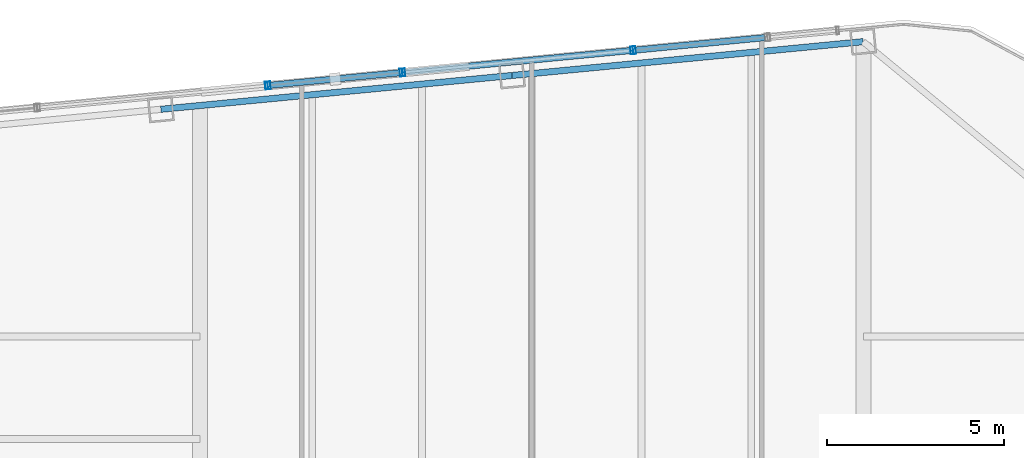
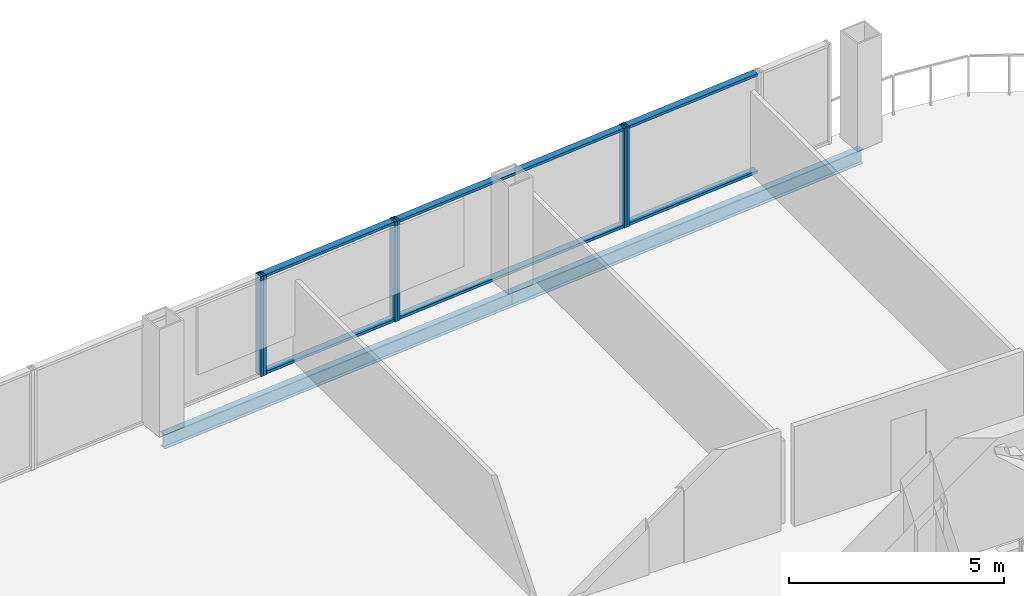
# One storey, part 14 of 22: 12 members, 2 beams, 4 elements without a shape of their own.
"""IFC4 building model written with IfcOpenShell, lengths in metres."""

import ifcopenshell
import ifcopenshell.guid

model = None  # the IFC model being written
_history = None  # IfcOwnerHistory: only IFC2X3 demands one
_inside = {}  # id of a spatial element -> (the spatial element, [elements in it])
_under = {}  # id of a project, library or spatial element -> (it, [spatial elements below it])
_declared = {}  # id of a project -> (the project, [libraries it declares])
_typed = {}  # id of a type object -> (the type object, [elements of that type])
_made_of = {}  # id of a material, layer set ... -> (it, [elements and type objects made of it])


def new_model(schema):
    """Start an empty IFC model of exactly this schema.

    Asked for "IFC4X3", IfcOpenShell would pick the latest addendum, in which some entities
    have other attributes; the version numbers below select the first issue.
    IFC2X3 requires an IfcOwnerHistory on every rooted entity: one is made here for all.
    """
    global model, _history
    if schema == "IFC4X3":
        model = ifcopenshell.file(schema_version=(4, 3, 0, 0))
    else:
        model = ifcopenshell.file(schema=schema)
    _inside.clear()
    _under.clear()
    _declared.clear()
    _typed.clear()
    _made_of.clear()
    _history = None
    if model.schema == "IFC2X3":
        org = make("IfcOrganization", Name="unknown")
        user = make(
            "IfcPersonAndOrganization",
            ThePerson=make("IfcPerson", FamilyName="unknown"),
            TheOrganization=org,
        )
        app = make(
            "IfcApplication",
            ApplicationDeveloper=org,
            Version="unknown",
            ApplicationFullName="unknown",
            ApplicationIdentifier="unknown",
        )
        _history = make(
            "IfcOwnerHistory",
            OwningUser=user,
            OwningApplication=app,
            ChangeAction="ADDED",
            CreationDate=0,
        )
    return model


def make(cls, **values):
    """One entity of the class cls with the attributes given. An attribute that is None is left unset."""
    return model.create_entity(
        cls, **{name: value for name, value in values.items() if value is not None}
    )


def rooted(cls, **values):
    """An entity with a GlobalId (a new one), such as an element, a storey or a relation."""
    return make(cls, GlobalId=ifcopenshell.guid.new(), OwnerHistory=_history, **values)


def si_unit(unit_type, name, prefix=None):
    """IfcSIUnit, for example si_unit("LENGTHUNIT", "METRE", prefix="MILLI")."""
    return make("IfcSIUnit", UnitType=unit_type, Prefix=prefix, Name=name)


def assignment(units):
    """IfcUnitAssignment: the units of a project."""
    return None if units is None else make("IfcUnitAssignment", Units=units)


def point(xyz):
    """IfcCartesianPoint."""
    return None if xyz is None else make("IfcCartesianPoint", Coordinates=xyz)


def direction(xyz):
    """IfcDirection."""
    return None if xyz is None else make("IfcDirection", DirectionRatios=xyz)


def frame(location, z_axis=None, x_axis=None):
    """IfcAxis2Placement3D, a coordinate frame: its origin and axes. An axis left out is left unset."""
    return make(
        "IfcAxis2Placement3D",
        Location=point(location),
        Axis=direction(z_axis),
        RefDirection=direction(x_axis),
    )


def frame_2d(location, x_axis=None):
    """IfcAxis2Placement2D, a coordinate frame in the plane: its origin and x axis."""
    return make(
        "IfcAxis2Placement2D", Location=point(location), RefDirection=direction(x_axis)
    )


def origin():
    """The frame at (0, 0, 0) with its axes left unset."""
    return frame((0.0, 0.0, 0.0))


def origin_2d():
    """The frame at (0, 0) in the plane with its x axis left unset."""
    return frame_2d((0.0, 0.0))


def place(relative_to, where):
    """IfcLocalPlacement: puts the frame where relative to a parent placement (None: the world)."""
    return make(
        "IfcLocalPlacement", PlacementRelTo=relative_to, RelativePlacement=where
    )


def context(
    kind, dimensions, precision=None, world=None, true_north=None, identifier=None
):
    """IfcGeometricRepresentationContext, for example the 3D "Model" context."""
    return make(
        "IfcGeometricRepresentationContext",
        ContextIdentifier=identifier,
        ContextType=kind,
        CoordinateSpaceDimension=dimensions,
        Precision=precision,
        WorldCoordinateSystem=world,
        TrueNorth=true_north,
    )


def subcontext(parent, identifier, kind, view, scale=None):
    """IfcGeometricRepresentationSubContext, for example "Body" below "Model"."""
    return make(
        "IfcGeometricRepresentationSubContext",
        ContextIdentifier=identifier,
        ContextType=kind,
        ParentContext=parent,
        TargetScale=scale,
        TargetView=view,
    )


def project(units=None, contexts=None):
    """IfcProject with its units and contexts."""
    return rooted(
        "IfcProject",
        Name="project",
        RepresentationContexts=contexts,
        UnitsInContext=assignment(units),
    )


def spatial(cls, under=None, at=None, **own):
    """A site, building, storey or space (cls), placed at a placement, below another one or the project."""
    s = rooted(cls, ObjectPlacement=at, **own)
    if under is not None:
        _under.setdefault(under.id(), (under, []))[1].append(s)
    return s


def profile(cls, at=None, kind="AREA", **sizes):
    """A parametric profile (cls). Its sizes go by their IFC names, for example OverallWidth=200.0."""
    return make(cls, ProfileType=kind, Position=at, **sizes)


def hollow_rectangle(**sizes):
    """IfcRectangleHollowProfileDef."""
    return profile("IfcRectangleHollowProfileDef", **sizes)


def i_section(**sizes):
    """IfcIShapeProfileDef."""
    return profile("IfcIShapeProfileDef", **sizes)


def extrude(swept, where, along, depth):
    """IfcExtrudedAreaSolid: the profile swept, set in the frame where, extruded along a direction by depth."""
    return make(
        "IfcExtrudedAreaSolid",
        SweptArea=swept,
        Position=where,
        ExtrudedDirection=direction(along),
        Depth=depth,
    )


def shape(context_of_items, identifier, shape_type, items):
    """IfcShapeRepresentation: the items that make up one representation, for example the "Body"."""
    return make(
        "IfcShapeRepresentation",
        ContextOfItems=context_of_items,
        RepresentationIdentifier=identifier,
        RepresentationType=shape_type,
        Items=items,
    )


def material(Name=None, Category=None):
    """IfcMaterial."""
    return make("IfcMaterial", Name=Name, Category=Category)


def layer(
    of_material, thickness, ventilated=None, Name=None, Category=None, Priority=None
):
    """IfcMaterialLayer: one layer of a wall or slab, of a material (None: an air gap)."""
    return make(
        "IfcMaterialLayer",
        Material=of_material,
        LayerThickness=thickness,
        IsVentilated=ventilated,
        Name=Name,
        Category=Category,
        Priority=Priority,
    )


def layer_set(layers, Name=None):
    """IfcMaterialLayerSet."""
    return make("IfcMaterialLayerSet", MaterialLayers=layers, LayerSetName=Name)


def material_profile(
    of_material, cross_section, Name=None, Category=None, Priority=None
):
    """IfcMaterialProfile: a cross section and its material."""
    return make(
        "IfcMaterialProfile",
        Name=Name,
        Material=of_material,
        Profile=cross_section,
        Priority=Priority,
        Category=Category,
    )


def profile_set(profiles, Name=None, composite=None):
    """IfcMaterialProfileSet."""
    return make(
        "IfcMaterialProfileSet",
        Name=Name,
        MaterialProfiles=profiles,
        CompositeProfile=composite,
    )


def made_of(thing, what):
    """Note that an element or type object is made of a material, layer set ...; save() writes the relation."""
    if what is not None:
        _made_of.setdefault(what.id(), (what, []))[1].append(thing)
    return thing


def type_object(cls, material=None, **own):
    """A type object (cls), such as IfcWallType, which elements share."""
    return made_of(rooted(cls, **own), material)


def element(
    cls,
    number,
    at=None,
    inside=None,
    cuts=None,
    type_object=None,
    material=None,
    context=None,
    identifier="Body",
    shape_type=None,
    held_by="IfcProductDefinitionShape",
    body=None,
    shapes=None,
    **own,
):
    """One element of the class cls, such as IfcWall. Its Tag is "e" and its number.

    at: its placement. inside: the storey or other place that contains it. cuts: it is an
    opening in that element (IfcRelVoidsElement). A single representation is given by context,
    identifier, shape_type and body (its items); several are given by shapes. held_by: the class
    of the entity that holds the representations. save() writes the other relations.
    """
    e = rooted(cls, Tag="e%d" % number, ObjectPlacement=at, **own)
    if body is not None:
        shapes = [shape(context, identifier, shape_type, body)]
    if shapes is not None:
        e.Representation = make(held_by, Representations=shapes)
    if inside is not None:
        _inside.setdefault(inside.id(), (inside, []))[1].append(e)
    if cuts is not None:
        rooted(
            "IfcRelVoidsElement", RelatingBuildingElement=cuts, RelatedOpeningElement=e
        )
    if type_object is not None:
        _typed.setdefault(type_object.id(), (type_object, []))[1].append(e)
    return made_of(e, material)


def aggregate(whole, parts):
    """IfcRelAggregates: a whole, such as a stair, and the parts it consists of."""
    return rooted("IfcRelAggregates", RelatingObject=whole, RelatedObjects=parts)


def save(model, path):
    """Write the relations noted so far, then the file.

    IfcRelAggregates (storeys below a building ...), IfcRelContainedInSpatialStructure (elements
    in a storey), IfcRelDefinesByType, IfcRelAssociatesMaterial and IfcRelDeclares: one each for
    every whole, place, type object, material and project.
    """
    for whole, parts in _under.values():
        aggregate(whole, parts)
    for where, things in _inside.values():
        rooted(
            "IfcRelContainedInSpatialStructure",
            RelatedElements=things,
            RelatingStructure=where,
        )
    for kind, things in _typed.values():
        rooted("IfcRelDefinesByType", RelatedObjects=things, RelatingType=kind)
    for what, things in _made_of.values():
        rooted("IfcRelAssociatesMaterial", RelatedObjects=things, RelatingMaterial=what)
    for by, libraries in _declared.values():
        rooted("IfcRelDeclares", RelatingContext=by, RelatedDefinitions=libraries)
    model.write(path)


model = new_model("IFC4")

# Units and contexts
model_context = context("Model", 3, precision=1e-05, world=origin(), true_north=direction((0.0, 1.0)))
body_context = subcontext(model_context, "Body", "Model", "MODEL_VIEW")
ifc_project = project(units=[si_unit("LENGTHUNIT", "METRE"), si_unit("AREAUNIT", "SQUARE_METRE"), si_unit("VOLUMEUNIT", "CUBIC_METRE"), si_unit("PLANEANGLEUNIT", "RADIAN"), si_unit("MASSUNIT", "GRAM", prefix="KILO")], contexts=[model_context])

# Site, building, storey
site_placement = place(None, origin())
site = spatial("IfcSite", under=ifc_project, at=site_placement, CompositionType="ELEMENT")
building_placement = place(site_placement, origin())
building = spatial("IfcBuilding", under=site, at=building_placement, Name="Qhalaya Broadcast Tower", CompositionType="ELEMENT")
storey_placement = place(building_placement, frame((0.0, 0.0, 174.449951171875)))
storey = spatial("IfcBuildingStorey", under=building, at=storey_placement, Name="L51", CompositionType="ELEMENT", Elevation=174.449951171875)

# Curtain wall, member
ifc_material_1 = material(Name="Solar-Control Low-E Triple Glazing", Category="glass")
ifc_layer_1 = layer(ifc_material_1, 0.219970703125, Name="Solar-Control Low-E Triple Glazing")
ifc_layer_set_1 = layer_set([ifc_layer_1], Name="Solar-Control Low-E Triple Glazing")
curtain_wall_type_1 = type_object("IfcCurtainWallType", Name="Even-Block 4-Storey Double-Module Curtain Wall CW-03", PredefinedType="NOTDEFINED", material=ifc_layer_set_1)
curtain_wall_1_placement = place(storey_placement, origin())
curtain_wall_1 = element("IfcCurtainWall", 1, at=curtain_wall_1_placement, inside=storey, type_object=curtain_wall_type_1, Name="L51 Unitised Curtain Wall L51-CW-N2", PredefinedType="NOTDEFINED")
ifc_material_2 = material(Name="Anodised Aluminium 6063-T6", Category="aluminium")
ifc_material_profile_1 = material_profile(ifc_material_2, hollow_rectangle(XDim=0.074951171875, YDim=0.219970703125, WallThickness=0.00390625, at=origin_2d()), Name="ALU-MUL 75x220x4")
ifc_profile_set_1 = profile_set([ifc_material_profile_1], Name="Anodised Aluminium 6063-T6")
member_type_1 = type_object("IfcMemberType", Name="Unitised Curtain-Wall Mullion M01", PredefinedType="MULLION", material=ifc_profile_set_1)
member_1_placement = place(storey_placement, frame((2.898681640625, 25.287353515625, 0.0), z_axis=(0.0, 0.0, 1.0), x_axis=(-0.995396841683, -0.095839071198, 0.0)))
member_1 = element("IfcMember", 2, at=member_1_placement, type_object=member_type_1, Name="CW-03 mullion 2", PredefinedType="MULLION", context=body_context, shape_type="SweptSolid", body=[
    extrude(hollow_rectangle(XDim=0.074951171875, YDim=0.219970703125, WallThickness=0.00390625, at=origin_2d()), origin(), (0.0, 0.0, 1.0), 2.830078125),
])

# Curtain wall, members
ifc_material_3 = material(Name="Fired Architectural Terracotta", Category="masonry")
ifc_layer_2 = layer(ifc_material_3, 0.219970703125, Name="Fired Architectural Terracotta")
ifc_layer_set_2 = layer_set([ifc_layer_2], Name="Fired Architectural Terracotta")
curtain_wall_type_2 = type_object("IfcCurtainWallType", Name="Block-Cap Unitised Terracotta Spandrel Wall CW-07", PredefinedType="NOTDEFINED", material=ifc_layer_set_2)
curtain_wall_2_placement = place(storey_placement, origin())
curtain_wall_2 = element("IfcCurtainWall", 3, at=curtain_wall_2_placement, inside=storey, type_object=curtain_wall_type_2, Name="L51 Unitised Curtain Wall L51-CW-N3", PredefinedType="NOTDEFINED")
member_2_placement = place(storey_placement, frame((2.823974609375, 25.280029296875, 0.0), z_axis=(0.0, 0.0, 1.0), x_axis=(-0.995396395442, -0.095843705796, 0.0)))
member_2 = element("IfcMember", 4, at=member_2_placement, type_object=member_type_1, Name="CW-07 mullion 1", PredefinedType="MULLION", context=body_context, shape_type="SweptSolid", body=[
    extrude(hollow_rectangle(XDim=0.074951171875, YDim=0.219970703125, WallThickness=0.00390625, at=origin_2d()), origin(), (0.0, 0.0, 1.0), 2.830078125),
])
member_3_placement = place(storey_placement, frame((-3.6162109375, 24.659912109375, 0.0), z_axis=(0.0, 0.0, 1.0), x_axis=(-0.995396395442, -0.095843705796, 0.0)))
member_3 = element("IfcMember", 5, at=member_3_placement, type_object=member_type_1, Name="CW-07 mullion 2", PredefinedType="MULLION", context=body_context, shape_type="SweptSolid", body=[
    extrude(hollow_rectangle(XDim=0.074951171875, YDim=0.219970703125, WallThickness=0.00390625, at=origin_2d()), origin(), (0.0, 0.0, 1.0), 2.830078125),
])

curtain_wall_3_placement = place(storey_placement, origin())
curtain_wall_3 = element("IfcCurtainWall", 6, at=curtain_wall_3_placement, inside=storey, type_object=curtain_wall_type_1, Name="L51 Unitised Curtain Wall L51-CW-N4", PredefinedType="NOTDEFINED")
member_4_placement = place(storey_placement, frame((-3.69091796875, 24.65283203125, 0.0), z_axis=(0.0, 0.0, 1.0), x_axis=(-0.995394252506, -0.095865958916, 0.0)))
member_4 = element("IfcMember", 7, at=member_4_placement, type_object=member_type_1, Name="CW-03 mullion 1", PredefinedType="MULLION", context=body_context, shape_type="SweptSolid", body=[
    extrude(hollow_rectangle(XDim=0.074951171875, YDim=0.219970703125, WallThickness=0.00390625, at=origin_2d()), origin(), (0.0, 0.0, 1.0), 2.830078125),
])
member_5_placement = place(storey_placement, frame((-7.420654296875, 24.293701171875, 0.0), z_axis=(0.0, 0.0, 1.0), x_axis=(-0.995394252506, -0.095865958916, 0.0)))
member_5 = element("IfcMember", 8, at=member_5_placement, type_object=member_type_1, Name="CW-03 mullion 2", PredefinedType="MULLION", context=body_context, shape_type="SweptSolid", body=[
    extrude(hollow_rectangle(XDim=0.074951171875, YDim=0.219970703125, WallThickness=0.00390625, at=origin_2d()), origin(), (0.0, 0.0, 1.0), 2.830078125),
])

# Curtain wall, member
curtain_wall_4_placement = place(storey_placement, origin())
curtain_wall_4 = element("IfcCurtainWall", 9, at=curtain_wall_4_placement, inside=storey, type_object=curtain_wall_type_2, Name="L51 Unitised Curtain Wall L51-CW-N5", PredefinedType="NOTDEFINED")
member_6_placement = place(storey_placement, frame((-7.4951171875, 24.286376953125, 0.0), z_axis=(0.0, 0.0, 1.0), x_axis=(-0.995396255089, -0.095845163439, 0.0)))
member_6 = element("IfcMember", 10, at=member_6_placement, type_object=member_type_1, Name="CW-07 mullion 1", PredefinedType="MULLION", context=body_context, shape_type="SweptSolid", body=[
    extrude(hollow_rectangle(XDim=0.074951171875, YDim=0.219970703125, WallThickness=0.00390625, at=origin_2d()), origin(), (0.0, 0.0, 1.0), 2.830078125),
])
aggregate(curtain_wall_4, [member_6])

# Member
ifc_material_profile_2 = material_profile(ifc_material_2, hollow_rectangle(XDim=0.074951171875, YDim=0.179931640625, WallThickness=0.00390625, at=origin_2d()), Name="ALU-TRN 75x180x4")
ifc_profile_set_2 = profile_set([ifc_material_profile_2], Name="Anodised Aluminium 6063-T6")
member_type_2 = type_object("IfcMemberType", Name="Unitised Curtain-Wall Transom T01", PredefinedType="USERDEFINED", material=ifc_profile_set_2)
member_7_placement = place(storey_placement, frame((6.590087890625, 25.642822265625, 0.03759765625), z_axis=(-0.995390855549, -0.095901223605, 0.0), x_axis=(0.0, 0.0, 1.0)))
member_7 = element("IfcMember", 11, at=member_7_placement, type_object=member_type_2, Name="CW-03 transom 1.1", ObjectType="TRANSOM", PredefinedType="USERDEFINED", context=body_context, shape_type="SweptSolid", body=[
    extrude(hollow_rectangle(XDim=0.074951171875, YDim=0.179931640625, WallThickness=0.00390625, at=origin_2d()), origin(), (0.0, 0.0, 1.0), 3.6708984375),
])

member_8_placement = place(storey_placement, frame((6.590087890625, 25.642822265625, 2.79248046875), z_axis=(-0.995390855549, -0.095901223605, 0.0), x_axis=(0.0, 0.0, 1.0)))
member_8 = element("IfcMember", 12, at=member_8_placement, type_object=member_type_2, Name="CW-03 transom 1.2", ObjectType="TRANSOM", PredefinedType="USERDEFINED", context=body_context, shape_type="SweptSolid", body=[
    extrude(hollow_rectangle(XDim=0.074951171875, YDim=0.179931640625, WallThickness=0.00390625, at=origin_2d()), origin(), (0.0, 0.0, 1.0), 3.6708984375),
])

aggregate(curtain_wall_1, [member_1, member_7, member_8])

member_9_placement = place(storey_placement, frame((2.786865234375, 25.276611328125, 0.03759765625), z_axis=(-0.995394889445, -0.095859345225, 0.0), x_axis=(0.0, 0.0, 1.0)))
member_9 = element("IfcMember", 13, at=member_9_placement, type_object=member_type_2, Name="CW-07 transom 1.1", ObjectType="TRANSOM", PredefinedType="USERDEFINED", context=body_context, shape_type="SweptSolid", body=[
    extrude(hollow_rectangle(XDim=0.074951171875, YDim=0.179931640625, WallThickness=0.00390625, at=origin_2d()), origin(), (0.0, 0.0, 1.0), 6.395263671875),
])

member_10_placement = place(storey_placement, frame((2.786865234375, 25.276611328125, 2.79248046875), z_axis=(-0.995394889445, -0.095859345225, 0.0), x_axis=(0.0, 0.0, 1.0)))
member_10 = element("IfcMember", 14, at=member_10_placement, type_object=member_type_2, Name="CW-07 transom 1.2", ObjectType="TRANSOM", PredefinedType="USERDEFINED", context=body_context, shape_type="SweptSolid", body=[
    extrude(hollow_rectangle(XDim=0.074951171875, YDim=0.179931640625, WallThickness=0.00390625, at=origin_2d()), origin(), (0.0, 0.0, 1.0), 6.395263671875),
])

aggregate(curtain_wall_2, [member_2, member_3, member_9, member_10])

member_11_placement = place(storey_placement, frame((-3.728271484375, 24.649169921875, 0.03759765625), z_axis=(-0.995393301201, -0.095875835972, 0.0), x_axis=(0.0, 0.0, 1.0)))
member_11 = element("IfcMember", 15, at=member_11_placement, type_object=member_type_2, Name="CW-03 transom 1.1", ObjectType="TRANSOM", PredefinedType="USERDEFINED", context=body_context, shape_type="SweptSolid", body=[
    extrude(hollow_rectangle(XDim=0.074951171875, YDim=0.179931640625, WallThickness=0.00390625, at=origin_2d()), origin(), (0.0, 0.0, 1.0), 3.671875),
])

member_12_placement = place(storey_placement, frame((-3.728271484375, 24.649169921875, 2.79248046875), z_axis=(-0.995393301201, -0.095875835972, 0.0), x_axis=(0.0, 0.0, 1.0)))
member_12 = element("IfcMember", 16, at=member_12_placement, type_object=member_type_2, Name="CW-03 transom 1.2", ObjectType="TRANSOM", PredefinedType="USERDEFINED", context=body_context, shape_type="SweptSolid", body=[
    extrude(hollow_rectangle(XDim=0.074951171875, YDim=0.179931640625, WallThickness=0.00390625, at=origin_2d()), origin(), (0.0, 0.0, 1.0), 3.671875),
])

aggregate(curtain_wall_3, [member_4, member_5, member_11, member_12])

# Beams
ifc_material_4 = material(Name="Structural Steel ASTM A992 Grade 50", Category="steel")
ifc_material_profile_3 = material_profile(ifc_material_4, i_section(OverallWidth=0.177978515625, OverallDepth=0.406005859375, WebThickness=0.0078125, FlangeThickness=0.0126953125, at=origin_2d()), Name="W16X40")
ifc_profile_set_3 = profile_set([ifc_material_profile_3], Name="Structural Steel ASTM A992 Grade 50")
beam_type = type_object("IfcBeamType", Name="Upper Perimeter Spandrel Beam SP2", PredefinedType="SPANDREL", material=ifc_profile_set_3)
beam_1_placement = place(storey_placement, frame((9.362060546875, 25.52783203125, -0.4228515625), z_axis=(-0.99539573508, -0.095850563819, 0.0), x_axis=(0.095850563819, -0.99539573508, 0.0)))
element("IfcBeam", 17, at=beam_1_placement, inside=storey, type_object=beam_type, Name="L51 SP2 L51-SPR-09", PredefinedType="SPANDREL", context=body_context, shape_type="SweptSolid", body=[
    extrude(i_section(OverallWidth=0.177978515625, OverallDepth=0.406005859375, WebThickness=0.0078125, FlangeThickness=0.0126953125, at=origin_2d()), origin(), (0.0, 0.0, 1.0), 9.966796875),
])
beam_2_placement = place(storey_placement, frame((-0.558837890625, 24.572509765625, -0.4228515625), z_axis=(-0.995395510024, -0.095852900965, 0.0), x_axis=(0.095852900965, -0.995395510024, 0.0)))
element("IfcBeam", 18, at=beam_2_placement, inside=storey, type_object=beam_type, Name="L51 SP2 L51-SPR-10", PredefinedType="SPANDREL", context=body_context, shape_type="SweptSolid", body=[
    extrude(i_section(OverallWidth=0.177978515625, OverallDepth=0.406005859375, WebThickness=0.0078125, FlangeThickness=0.0126953125, at=origin_2d()), origin(), (0.0, 0.0, 1.0), 9.966552734375),
])

save(model, "model.ifc")
